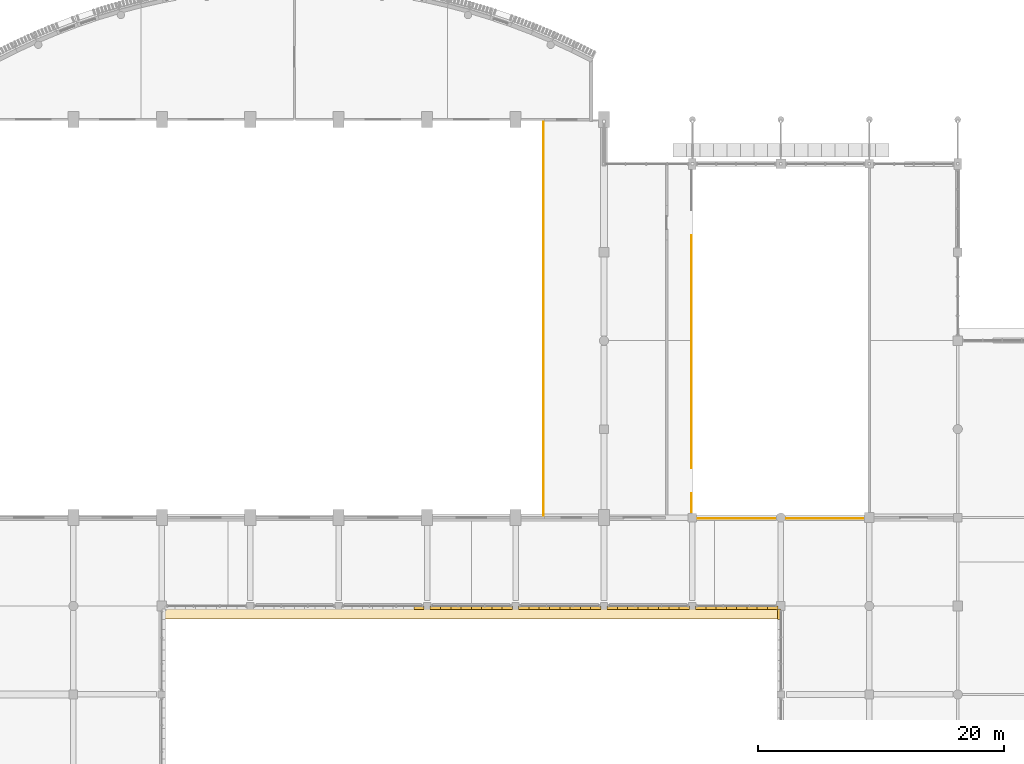
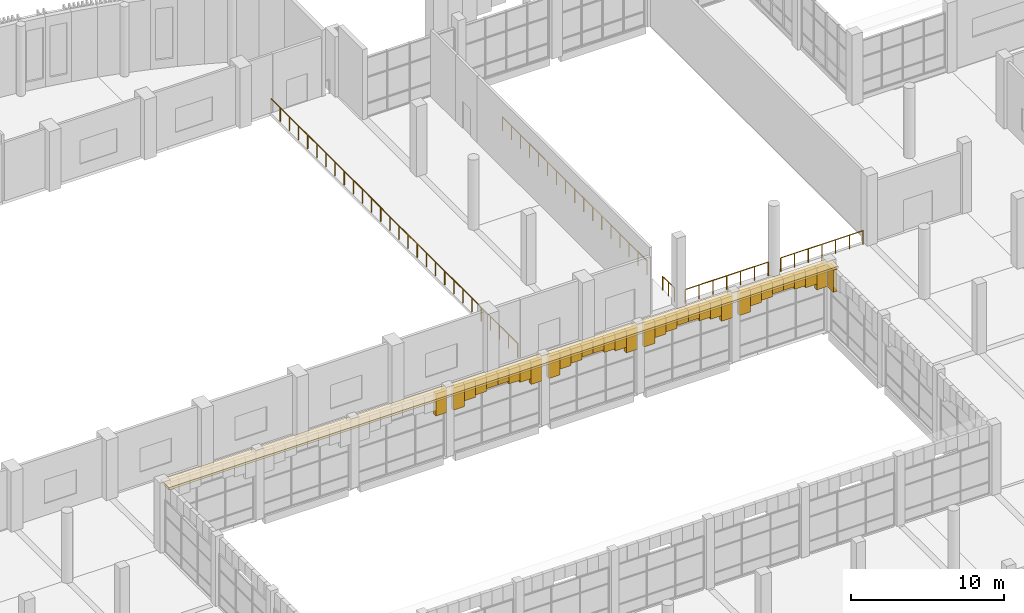
# One storey, part 74 of 80: 35 coverings, 8 railings.
"""IFC4 building model written with IfcOpenShell, lengths in metres."""

from ifc_helpers import new_model, si_unit, direction, frame, frame_2d, origin, origin_2d, place, context, subcontext, project, spatial, polyline, rectangle, circle, outline, extrude, material, layer, layer_set, type_object, element, save


model = new_model("IFC4")

# Units and contexts
model_context = context("Model", 3, precision=1e-05, world=origin(), true_north=direction((0.0, 1.0)))
body_context = subcontext(model_context, "Body", "Model", "MODEL_VIEW")
ifc_project = project(units=[si_unit("LENGTHUNIT", "METRE"), si_unit("AREAUNIT", "SQUARE_METRE"), si_unit("VOLUMEUNIT", "CUBIC_METRE"), si_unit("PLANEANGLEUNIT", "RADIAN"), si_unit("MASSUNIT", "GRAM", prefix="KILO")], contexts=[model_context])

# Site, building, storey
site_placement = place(None, origin())
site = spatial("IfcSite", under=ifc_project, at=site_placement, CompositionType="ELEMENT")
building_placement = place(site_placement, origin())
building = spatial("IfcBuilding", under=site, at=building_placement, Name="Sardonyx Promenade Sports Hall", CompositionType="ELEMENT")
storey_placement = place(building_placement, frame((0.0, 0.0, 5.60009765625)))
storey = spatial("IfcBuildingStorey", under=building, at=storey_placement, Name="L01", CompositionType="ELEMENT", Elevation=5.60009765625)

# Coverings
ifc_material_1 = material(Name="Dressed Cape red sandstone cornice", Category="masonry")
ifc_layer_1 = layer(ifc_material_1, 0.139892578125)
ifc_layer_set_1 = layer_set([ifc_layer_1], Name="Cov_Chhajja_Eave")
covering_type_1 = type_object("IfcCoveringType", Name="Cov_Chhajja_Eave", PredefinedType="MOLDING", material=ifc_layer_set_1)
covering_1_placement = place(storey_placement, frame((0.0, 0.0, 5.349853515625)))
element("IfcCovering", 1, at=covering_1_placement, inside=storey, type_object=covering_type_1, Name="Charbagh courtyard north chhajja eave L01", PredefinedType="MOLDING", context=body_context, shape_type="SweptSolid", body=[
    extrude(outline(polyline([(43.10009765625, 63.75), (93.699951171875, 63.75), (93.699951171875, 64.85009765625), (43.10009765625, 64.85009765625), (43.10009765625, 63.75)])), origin(), (0.0, 0.0, 1.0), 0.179931640625),
])
ifc_material_2 = material(Name="Carved Cape red sandstone ashlar", Category="masonry")
ifc_layer_2 = layer(ifc_material_2, 0.239990234375)
ifc_layer_set_2 = layer_set([ifc_layer_2], Name="Cov_Mughal_Arch")
covering_type_2 = type_object("IfcCoveringType", Name="Cov_Mughal_Arch", PredefinedType="CLADDING", material=ifc_layer_set_2)
covering_2_placement = place(storey_placement, frame((63.71240234375, 64.64990234375, 3.584716796875), z_axis=(0.0, 0.0, 1.0), x_axis=(1.0, 0.0, 0.0)))
element("IfcCovering", 2, at=covering_2_placement, inside=storey, type_object=covering_type_2, Name="Mughal pointed-arch spandrel L01 cov:rq:N:L01:2 #8", PredefinedType="CLADDING", context=body_context, shape_type="SweptSolid", body=[
    extrude(rectangle(XDim=0.837646484375, YDim=0.280029296875, at=frame_2d((0.4189453125, 0.0))), origin(), (0.0, 0.0, 1.0), 1.76513671875),
])
covering_3_placement = place(storey_placement, frame((65.050048828125, 64.64990234375, 3.584716796875), z_axis=(0.0, 0.0, 1.0), x_axis=(1.0, 0.0, 0.0)))
element("IfcCovering", 3, at=covering_3_placement, inside=storey, type_object=covering_type_2, Name="Mughal pointed-arch spandrel L01 cov:rq:N:L01:3 #1", PredefinedType="CLADDING", context=body_context, shape_type="SweptSolid", body=[
    extrude(rectangle(XDim=0.83740234375, YDim=0.280029296875, at=frame_2d((0.418701171875, 0.0))), origin(), (0.0, 0.0, 1.0), 1.76513671875),
])
covering_4_placement = place(storey_placement, frame((65.887451171875, 64.64990234375, 4.041748046875), z_axis=(0.0, 0.0, 1.0), x_axis=(1.0, 0.0, 0.0)))
element("IfcCovering", 4, at=covering_4_placement, inside=storey, type_object=covering_type_2, Name="Mughal pointed-arch spandrel L01 cov:rq:N:L01:3 #2", PredefinedType="CLADDING", context=body_context, shape_type="SweptSolid", body=[
    extrude(rectangle(XDim=0.837646484375, YDim=0.280029296875, at=frame_2d((0.4189453125, 0.0))), origin(), (0.0, 0.0, 1.0), 1.30810546875),
])
covering_5_placement = place(storey_placement, frame((66.72509765625, 64.64990234375, 4.2119140625), z_axis=(0.0, 0.0, 1.0), x_axis=(1.0, 0.0, 0.0)))
element("IfcCovering", 5, at=covering_5_placement, inside=storey, type_object=covering_type_2, Name="Mughal pointed-arch spandrel L01 cov:rq:N:L01:3 #3", PredefinedType="CLADDING", context=body_context, shape_type="SweptSolid", body=[
    extrude(rectangle(XDim=0.83740234375, YDim=0.280029296875, at=frame_2d((0.418701171875, 0.0))), origin(), (0.0, 0.0, 1.0), 1.137939453125),
])
covering_6_placement = place(storey_placement, frame((67.5625, 64.64990234375, 4.429931640625), z_axis=(0.0, 0.0, 1.0), x_axis=(1.0, 0.0, 0.0)))
element("IfcCovering", 6, at=covering_6_placement, inside=storey, type_object=covering_type_2, Name="Mughal pointed-arch spandrel L01 cov:rq:N:L01:3 #4", PredefinedType="CLADDING", context=body_context, shape_type="SweptSolid", body=[
    extrude(rectangle(XDim=0.83740234375, YDim=0.280029296875, at=frame_2d((0.418701171875, 0.0))), origin(), (0.0, 0.0, 1.0), 0.919921875),
])
covering_7_placement = place(storey_placement, frame((68.39990234375, 64.64990234375, 4.429931640625), z_axis=(0.0, 0.0, 1.0), x_axis=(1.0, 0.0, 0.0)))
element("IfcCovering", 7, at=covering_7_placement, inside=storey, type_object=covering_type_2, Name="Mughal pointed-arch spandrel L01 cov:rq:N:L01:3 #5", PredefinedType="CLADDING", context=body_context, shape_type="SweptSolid", body=[
    extrude(rectangle(XDim=0.837646484375, YDim=0.280029296875, at=frame_2d((0.4189453125, 0.0))), origin(), (0.0, 0.0, 1.0), 0.919921875),
])
covering_8_placement = place(storey_placement, frame((69.237548828125, 64.64990234375, 4.2119140625), z_axis=(0.0, 0.0, 1.0), x_axis=(1.0, 0.0, 0.0)))
element("IfcCovering", 8, at=covering_8_placement, inside=storey, type_object=covering_type_2, Name="Mughal pointed-arch spandrel L01 cov:rq:N:L01:3 #6", PredefinedType="CLADDING", context=body_context, shape_type="SweptSolid", body=[
    extrude(rectangle(XDim=0.83740234375, YDim=0.280029296875, at=frame_2d((0.418701171875, 0.0))), origin(), (0.0, 0.0, 1.0), 1.137939453125),
])
covering_9_placement = place(storey_placement, frame((70.074951171875, 64.64990234375, 4.041748046875), z_axis=(0.0, 0.0, 1.0), x_axis=(1.0, 0.0, 0.0)))
element("IfcCovering", 9, at=covering_9_placement, inside=storey, type_object=covering_type_2, Name="Mughal pointed-arch spandrel L01 cov:rq:N:L01:3 #7", PredefinedType="CLADDING", context=body_context, shape_type="SweptSolid", body=[
    extrude(rectangle(XDim=0.837646484375, YDim=0.280029296875, at=frame_2d((0.4189453125, 0.0))), origin(), (0.0, 0.0, 1.0), 1.30810546875),
])
for number, where, z_axis, x_axis, name in (
    (10, (70.91259765625, 64.64990234375, 3.584716796875), (0.0, 0.0, 1.0), (1.0, 0.0, 0.0), "Mughal pointed-arch spandrel L01 cov:rq:N:L01:3 #8"),
    (11, (72.25, 64.64990234375, 3.584716796875), (0.0, 0.0, 1.0), (1.0, 0.0, 0.0), "Mughal pointed-arch spandrel L01 cov:rq:N:L01:4 #1"),
):
    element("IfcCovering", number, at=place(storey_placement, frame(where, z_axis=z_axis, x_axis=x_axis)), inside=storey, type_object=covering_type_2, Name=name, PredefinedType="CLADDING", context=body_context, shape_type="SweptSolid", body=[
        extrude(rectangle(XDim=0.83740234375, YDim=0.280029296875, at=frame_2d((0.418701171875, 0.0))), origin(), (0.0, 0.0, 1.0), 1.76513671875),
    ])
covering_10_placement = place(storey_placement, frame((73.08740234375, 64.64990234375, 4.041748046875), z_axis=(0.0, 0.0, 1.0), x_axis=(1.0, 0.0, 0.0)))
element("IfcCovering", 12, at=covering_10_placement, inside=storey, type_object=covering_type_2, Name="Mughal pointed-arch spandrel L01 cov:rq:N:L01:4 #2", PredefinedType="CLADDING", context=body_context, shape_type="SweptSolid", body=[
    extrude(rectangle(XDim=0.837646484375, YDim=0.280029296875, at=frame_2d((0.4189453125, 0.0))), origin(), (0.0, 0.0, 1.0), 1.30810546875),
])
covering_11_placement = place(storey_placement, frame((73.925048828125, 64.64990234375, 4.2119140625), z_axis=(0.0, 0.0, 1.0), x_axis=(1.0, 0.0, 0.0)))
element("IfcCovering", 13, at=covering_11_placement, inside=storey, type_object=covering_type_2, Name="Mughal pointed-arch spandrel L01 cov:rq:N:L01:4 #3", PredefinedType="CLADDING", context=body_context, shape_type="SweptSolid", body=[
    extrude(rectangle(XDim=0.83740234375, YDim=0.280029296875, at=frame_2d((0.418701171875, 0.0))), origin(), (0.0, 0.0, 1.0), 1.137939453125),
])
covering_12_placement = place(storey_placement, frame((74.762451171875, 64.64990234375, 4.429931640625), z_axis=(0.0, 0.0, 1.0), x_axis=(1.0, 0.0, 0.0)))
element("IfcCovering", 14, at=covering_12_placement, inside=storey, type_object=covering_type_2, Name="Mughal pointed-arch spandrel L01 cov:rq:N:L01:4 #4", PredefinedType="CLADDING", context=body_context, shape_type="SweptSolid", body=[
    extrude(rectangle(XDim=0.837646484375, YDim=0.280029296875, at=frame_2d((0.4189453125, 0.0))), origin(), (0.0, 0.0, 1.0), 0.919921875),
])
covering_13_placement = place(storey_placement, frame((75.60009765625, 64.64990234375, 4.429931640625), z_axis=(0.0, 0.0, 1.0), x_axis=(1.0, 0.0, 0.0)))
element("IfcCovering", 15, at=covering_13_placement, inside=storey, type_object=covering_type_2, Name="Mughal pointed-arch spandrel L01 cov:rq:N:L01:4 #5", PredefinedType="CLADDING", context=body_context, shape_type="SweptSolid", body=[
    extrude(rectangle(XDim=0.83740234375, YDim=0.280029296875, at=frame_2d((0.418701171875, 0.0))), origin(), (0.0, 0.0, 1.0), 0.919921875),
])
covering_14_placement = place(storey_placement, frame((76.4375, 64.64990234375, 4.2119140625), z_axis=(0.0, 0.0, 1.0), x_axis=(1.0, 0.0, 0.0)))
element("IfcCovering", 16, at=covering_14_placement, inside=storey, type_object=covering_type_2, Name="Mughal pointed-arch spandrel L01 cov:rq:N:L01:4 #6", PredefinedType="CLADDING", context=body_context, shape_type="SweptSolid", body=[
    extrude(rectangle(XDim=0.83740234375, YDim=0.280029296875, at=frame_2d((0.418701171875, 0.0))), origin(), (0.0, 0.0, 1.0), 1.137939453125),
])
covering_15_placement = place(storey_placement, frame((77.27490234375, 64.64990234375, 4.041748046875), z_axis=(0.0, 0.0, 1.0), x_axis=(1.0, 0.0, 0.0)))
element("IfcCovering", 17, at=covering_15_placement, inside=storey, type_object=covering_type_2, Name="Mughal pointed-arch spandrel L01 cov:rq:N:L01:4 #7", PredefinedType="CLADDING", context=body_context, shape_type="SweptSolid", body=[
    extrude(rectangle(XDim=0.837646484375, YDim=0.280029296875, at=frame_2d((0.4189453125, 0.0))), origin(), (0.0, 0.0, 1.0), 1.30810546875),
])
covering_16_placement = place(storey_placement, frame((78.112548828125, 64.64990234375, 3.584716796875), z_axis=(0.0, 0.0, 1.0), x_axis=(1.0, 0.0, 0.0)))
element("IfcCovering", 18, at=covering_16_placement, inside=storey, type_object=covering_type_2, Name="Mughal pointed-arch spandrel L01 cov:rq:N:L01:4 #8", PredefinedType="CLADDING", context=body_context, shape_type="SweptSolid", body=[
    extrude(rectangle(XDim=0.83740234375, YDim=0.280029296875, at=frame_2d((0.418701171875, 0.0))), origin(), (0.0, 0.0, 1.0), 1.76513671875),
])
covering_17_placement = place(storey_placement, frame((79.449951171875, 64.64990234375, 3.584716796875), z_axis=(0.0, 0.0, 1.0), x_axis=(1.0, 0.0, 0.0)))
element("IfcCovering", 19, at=covering_17_placement, inside=storey, type_object=covering_type_2, Name="Mughal pointed-arch spandrel L01 cov:rq:N:L01:5 #1", PredefinedType="CLADDING", context=body_context, shape_type="SweptSolid", body=[
    extrude(rectangle(XDim=0.837646484375, YDim=0.280029296875, at=frame_2d((0.4189453125, 0.0))), origin(), (0.0, 0.0, 1.0), 1.76513671875),
])
covering_18_placement = place(storey_placement, frame((80.28759765625, 64.64990234375, 4.041748046875), z_axis=(0.0, 0.0, 1.0), x_axis=(1.0, 0.0, 0.0)))
element("IfcCovering", 20, at=covering_18_placement, inside=storey, type_object=covering_type_2, Name="Mughal pointed-arch spandrel L01 cov:rq:N:L01:5 #2", PredefinedType="CLADDING", context=body_context, shape_type="SweptSolid", body=[
    extrude(rectangle(XDim=0.83740234375, YDim=0.280029296875, at=frame_2d((0.418701171875, 0.0))), origin(), (0.0, 0.0, 1.0), 1.30810546875),
])
covering_19_placement = place(storey_placement, frame((81.125, 64.64990234375, 4.2119140625), z_axis=(0.0, 0.0, 1.0), x_axis=(1.0, 0.0, 0.0)))
element("IfcCovering", 21, at=covering_19_placement, inside=storey, type_object=covering_type_2, Name="Mughal pointed-arch spandrel L01 cov:rq:N:L01:5 #3", PredefinedType="CLADDING", context=body_context, shape_type="SweptSolid", body=[
    extrude(rectangle(XDim=0.83740234375, YDim=0.280029296875, at=frame_2d((0.418701171875, 0.0))), origin(), (0.0, 0.0, 1.0), 1.137939453125),
])
covering_20_placement = place(storey_placement, frame((81.96240234375, 64.64990234375, 4.429931640625), z_axis=(0.0, 0.0, 1.0), x_axis=(1.0, 0.0, 0.0)))
element("IfcCovering", 22, at=covering_20_placement, inside=storey, type_object=covering_type_2, Name="Mughal pointed-arch spandrel L01 cov:rq:N:L01:5 #4", PredefinedType="CLADDING", context=body_context, shape_type="SweptSolid", body=[
    extrude(rectangle(XDim=0.837646484375, YDim=0.280029296875, at=frame_2d((0.4189453125, 0.0))), origin(), (0.0, 0.0, 1.0), 0.919921875),
])
covering_21_placement = place(storey_placement, frame((82.800048828125, 64.64990234375, 4.429931640625), z_axis=(0.0, 0.0, 1.0), x_axis=(1.0, 0.0, 0.0)))
element("IfcCovering", 23, at=covering_21_placement, inside=storey, type_object=covering_type_2, Name="Mughal pointed-arch spandrel L01 cov:rq:N:L01:5 #5", PredefinedType="CLADDING", context=body_context, shape_type="SweptSolid", body=[
    extrude(rectangle(XDim=0.83740234375, YDim=0.280029296875, at=frame_2d((0.418701171875, 0.0))), origin(), (0.0, 0.0, 1.0), 0.919921875),
])
covering_22_placement = place(storey_placement, frame((83.637451171875, 64.64990234375, 4.2119140625), z_axis=(0.0, 0.0, 1.0), x_axis=(1.0, 0.0, 0.0)))
element("IfcCovering", 24, at=covering_22_placement, inside=storey, type_object=covering_type_2, Name="Mughal pointed-arch spandrel L01 cov:rq:N:L01:5 #6", PredefinedType="CLADDING", context=body_context, shape_type="SweptSolid", body=[
    extrude(rectangle(XDim=0.837646484375, YDim=0.280029296875, at=frame_2d((0.4189453125, 0.0))), origin(), (0.0, 0.0, 1.0), 1.137939453125),
])
covering_23_placement = place(storey_placement, frame((84.47509765625, 64.64990234375, 4.041748046875), z_axis=(0.0, 0.0, 1.0), x_axis=(1.0, 0.0, 0.0)))
element("IfcCovering", 25, at=covering_23_placement, inside=storey, type_object=covering_type_2, Name="Mughal pointed-arch spandrel L01 cov:rq:N:L01:5 #7", PredefinedType="CLADDING", context=body_context, shape_type="SweptSolid", body=[
    extrude(rectangle(XDim=0.83740234375, YDim=0.280029296875, at=frame_2d((0.418701171875, 0.0))), origin(), (0.0, 0.0, 1.0), 1.30810546875),
])
covering_24_placement = place(storey_placement, frame((85.3125, 64.64990234375, 3.584716796875), z_axis=(0.0, 0.0, 1.0), x_axis=(1.0, 0.0, 0.0)))
element("IfcCovering", 26, at=covering_24_placement, inside=storey, type_object=covering_type_2, Name="Mughal pointed-arch spandrel L01 cov:rq:N:L01:5 #8", PredefinedType="CLADDING", context=body_context, shape_type="SweptSolid", body=[
    extrude(rectangle(XDim=0.83740234375, YDim=0.280029296875, at=frame_2d((0.418701171875, 0.0))), origin(), (0.0, 0.0, 1.0), 1.76513671875),
])
covering_25_placement = place(storey_placement, frame((86.64990234375, 64.64990234375, 3.584716796875), z_axis=(0.0, 0.0, 1.0), x_axis=(1.0, 0.0, 0.0)))
element("IfcCovering", 27, at=covering_25_placement, inside=storey, type_object=covering_type_2, Name="Mughal pointed-arch spandrel L01 cov:rq:N:L01:6 #1", PredefinedType="CLADDING", context=body_context, shape_type="SweptSolid", body=[
    extrude(rectangle(XDim=0.837646484375, YDim=0.280029296875, at=frame_2d((0.4189453125, 0.0))), origin(), (0.0, 0.0, 1.0), 1.76513671875),
])
covering_26_placement = place(storey_placement, frame((87.487548828125, 64.64990234375, 4.041748046875), z_axis=(0.0, 0.0, 1.0), x_axis=(1.0, 0.0, 0.0)))
element("IfcCovering", 28, at=covering_26_placement, inside=storey, type_object=covering_type_2, Name="Mughal pointed-arch spandrel L01 cov:rq:N:L01:6 #2", PredefinedType="CLADDING", context=body_context, shape_type="SweptSolid", body=[
    extrude(rectangle(XDim=0.83740234375, YDim=0.280029296875, at=frame_2d((0.418701171875, 0.0))), origin(), (0.0, 0.0, 1.0), 1.30810546875),
])
covering_27_placement = place(storey_placement, frame((88.324951171875, 64.64990234375, 4.2119140625), z_axis=(0.0, 0.0, 1.0), x_axis=(1.0, 0.0, 0.0)))
element("IfcCovering", 29, at=covering_27_placement, inside=storey, type_object=covering_type_2, Name="Mughal pointed-arch spandrel L01 cov:rq:N:L01:6 #3", PredefinedType="CLADDING", context=body_context, shape_type="SweptSolid", body=[
    extrude(rectangle(XDim=0.837646484375, YDim=0.280029296875, at=frame_2d((0.4189453125, 0.0))), origin(), (0.0, 0.0, 1.0), 1.137939453125),
])
for number, where, z_axis, x_axis, name in (
    (30, (89.16259765625, 64.64990234375, 4.429931640625), (0.0, 0.0, 1.0), (1.0, 0.0, 0.0), "Mughal pointed-arch spandrel L01 cov:rq:N:L01:6 #4"),
    (31, (90.0, 64.64990234375, 4.429931640625), (0.0, 0.0, 1.0), (1.0, 0.0, 0.0), "Mughal pointed-arch spandrel L01 cov:rq:N:L01:6 #5"),
):
    element("IfcCovering", number, at=place(storey_placement, frame(where, z_axis=z_axis, x_axis=x_axis)), inside=storey, type_object=covering_type_2, Name=name, PredefinedType="CLADDING", context=body_context, shape_type="SweptSolid", body=[
        extrude(rectangle(XDim=0.83740234375, YDim=0.280029296875, at=frame_2d((0.418701171875, 0.0))), origin(), (0.0, 0.0, 1.0), 0.919921875),
    ])
covering_28_placement = place(storey_placement, frame((90.83740234375, 64.64990234375, 4.2119140625), z_axis=(0.0, 0.0, 1.0), x_axis=(1.0, 0.0, 0.0)))
element("IfcCovering", 32, at=covering_28_placement, inside=storey, type_object=covering_type_2, Name="Mughal pointed-arch spandrel L01 cov:rq:N:L01:6 #6", PredefinedType="CLADDING", context=body_context, shape_type="SweptSolid", body=[
    extrude(rectangle(XDim=0.837646484375, YDim=0.280029296875, at=frame_2d((0.4189453125, 0.0))), origin(), (0.0, 0.0, 1.0), 1.137939453125),
])
covering_29_placement = place(storey_placement, frame((91.675048828125, 64.64990234375, 4.041748046875), z_axis=(0.0, 0.0, 1.0), x_axis=(1.0, 0.0, 0.0)))
element("IfcCovering", 33, at=covering_29_placement, inside=storey, type_object=covering_type_2, Name="Mughal pointed-arch spandrel L01 cov:rq:N:L01:6 #7", PredefinedType="CLADDING", context=body_context, shape_type="SweptSolid", body=[
    extrude(rectangle(XDim=0.83740234375, YDim=0.280029296875, at=frame_2d((0.418701171875, 0.0))), origin(), (0.0, 0.0, 1.0), 1.30810546875),
])
for number, where, z_axis, x_axis, name in (
    (34, (92.512451171875, 64.64990234375, 3.584716796875), (0.0, 0.0, 1.0), (1.0, 0.0, 0.0), "Mughal pointed-arch spandrel L01 cov:rq:N:L01:6 #8"),
    (35, (93.449951171875, 63.71240234375, 3.584716796875), (0.0, 0.0, 1.0), (0.0, 1.0, 0.0), "Mughal pointed-arch spandrel L01 cov:rq:E:L01:2 #8"),
):
    element("IfcCovering", number, at=place(storey_placement, frame(where, z_axis=z_axis, x_axis=x_axis)), inside=storey, type_object=covering_type_2, Name=name, PredefinedType="CLADDING", context=body_context, shape_type="SweptSolid", body=[
        extrude(rectangle(XDim=0.837646484375, YDim=0.280029296875, at=frame_2d((0.4189453125, 0.0))), origin(), (0.0, 0.0, 1.0), 1.76513671875),
    ])

# Railings
ifc_material_3 = material(Name="Powder-coated Steel S355JR", Category="steel")
railing_type = type_object("IfcRailingType", Name="Rail_Int_Guard_1100", PredefinedType="GUARDRAIL", material=ifc_material_3)
railing_1_placement = place(storey_placement, frame((100.300048828125, 71.929931640625, 0.0)))
element("IfcRailing", 36, at=railing_1_placement, inside=storey, type_object=railing_type, Name="Deck-edge guardrail GR02 L01 #11", PredefinedType="GUARDRAIL", context=body_context, shape_type="SweptSolid", body=[
    extrude(circle(Radius=0.02392578125, at=origin_2d()), frame((0.0, 0.0, 1.09619140625), z_axis=(-1.0, 0.0, 0.0), x_axis=(0.0, -1.0, 0.0)), (0.0, 0.0, 1.0), 6.22509765625),
    extrude(circle(Radius=0.02099609375, at=origin_2d()), origin(), (0.0, 0.0, 1.0), 1.072021484375),
    extrude(circle(Radius=0.02099609375, at=origin_2d()), frame((-1.03759765625, 0.0, 0.0)), (0.0, 0.0, 1.0), 1.072021484375),
    extrude(circle(Radius=0.02099609375, at=origin_2d()), frame((-2.074951171875, 0.0, 0.0)), (0.0, 0.0, 1.0), 1.072021484375),
    extrude(circle(Radius=0.02099609375, at=origin_2d()), frame((-3.112548828125, 0.0, 0.0)), (0.0, 0.0, 1.0), 1.072021484375),
    extrude(circle(Radius=0.02099609375, at=origin_2d()), frame((-4.150146484375, 0.0, 0.0)), (0.0, 0.0, 1.0), 1.072021484375),
    extrude(circle(Radius=0.02099609375, at=origin_2d()), frame((-5.1875, 0.0, 0.0)), (0.0, 0.0, 1.0), 1.072021484375),
    extrude(circle(Radius=0.02099609375, at=origin_2d()), frame((-6.22509765625, 0.0, 0.0)), (0.0, 0.0, 1.0), 1.072021484375),
])
railing_2_placement = place(storey_placement, frame((93.125, 71.929931640625, 0.0)))
element("IfcRailing", 37, at=railing_2_placement, inside=storey, type_object=railing_type, Name="Deck-edge guardrail GR02 L01 #12", PredefinedType="GUARDRAIL", context=body_context, shape_type="SweptSolid", body=[
    extrude(circle(Radius=0.02392578125, at=origin_2d()), frame((0.0, 0.0, 1.09619140625), z_axis=(-1.0, 0.0, 0.0), x_axis=(0.0, -1.0, 0.0)), (0.0, 0.0, 1.0), 6.27490234375),
    extrude(circle(Radius=0.02099609375, at=origin_2d()), origin(), (0.0, 0.0, 1.0), 1.072021484375),
    extrude(circle(Radius=0.02099609375, at=origin_2d()), frame((-1.0458984375, 0.0, 0.0)), (0.0, 0.0, 1.0), 1.072021484375),
    extrude(circle(Radius=0.02099609375, at=origin_2d()), frame((-2.091552734375, 0.0, 0.0)), (0.0, 0.0, 1.0), 1.072021484375),
    extrude(circle(Radius=0.02099609375, at=origin_2d()), frame((-3.137451171875, 0.0, 0.0)), (0.0, 0.0, 1.0), 1.072021484375),
    extrude(circle(Radius=0.02099609375, at=origin_2d()), frame((-4.183349609375, 0.0, 0.0)), (0.0, 0.0, 1.0), 1.072021484375),
    extrude(circle(Radius=0.02099609375, at=origin_2d()), frame((-5.22900390625, 0.0, 0.0)), (0.0, 0.0, 1.0), 1.072021484375),
    extrude(circle(Radius=0.02099609375, at=origin_2d()), frame((-6.27490234375, 0.0, 0.0)), (0.0, 0.0, 1.0), 1.072021484375),
])
railing_3_placement = place(storey_placement, frame((86.330078125, 72.449951171875, 0.0)))
element("IfcRailing", 38, at=railing_3_placement, inside=storey, type_object=railing_type, Name="Deck-edge guardrail GR02 L01 #13", PredefinedType="GUARDRAIL", context=body_context, shape_type="SweptSolid", body=[
    extrude(circle(Radius=0.02392578125, at=origin_2d()), frame((0.0, 0.0, 1.09619140625), z_axis=(0.0, 1.0, 0.0), x_axis=(-1.0, 0.0, 0.0)), (0.0, 0.0, 1.0), 1.52001953125),
    extrude(circle(Radius=0.02099609375, at=origin_2d()), origin(), (0.0, 0.0, 1.0), 1.072021484375),
    extrude(circle(Radius=0.02099609375, at=origin_2d()), frame((0.0, 0.760009765625, 0.0)), (0.0, 0.0, 1.0), 1.072021484375),
    extrude(circle(Radius=0.02099609375, at=origin_2d()), frame((0.0, 1.52001953125, 0.0)), (0.0, 0.0, 1.0), 1.072021484375),
])
for number, where, name in (
    (39, (86.330078125, 76.030029296875, 0.0), "Deck-edge guardrail GR02 L01 #14"),
    (40, (86.330078125, 85.5, 0.0), "Deck-edge guardrail GR02 L01 #15"),
):
    element("IfcRailing", number, at=place(storey_placement, frame(where)), inside=storey, type_object=railing_type, Name=name, PredefinedType="GUARDRAIL", context=body_context, shape_type="SweptSolid", body=[
        extrude(circle(Radius=0.02392578125, at=origin_2d()), frame((0.0, 0.0, 1.09619140625), z_axis=(0.0, 1.0, 0.0), x_axis=(-1.0, 0.0, 0.0)), (0.0, 0.0, 1.0), 9.469970703125),
        extrude(circle(Radius=0.02099609375, at=origin_2d()), origin(), (0.0, 0.0, 1.0), 1.072021484375),
        extrude(circle(Radius=0.02099609375, at=origin_2d()), frame((0.0, 1.183837890625, 0.0)), (0.0, 0.0, 1.0), 1.072021484375),
        extrude(circle(Radius=0.02099609375, at=origin_2d()), frame((0.0, 2.367431640625, 0.0)), (0.0, 0.0, 1.0), 1.072021484375),
        extrude(circle(Radius=0.02099609375, at=origin_2d()), frame((0.0, 3.55126953125, 0.0)), (0.0, 0.0, 1.0), 1.072021484375),
        extrude(circle(Radius=0.02099609375, at=origin_2d()), frame((0.0, 4.73486328125, 0.0)), (0.0, 0.0, 1.0), 1.072021484375),
        extrude(circle(Radius=0.02099609375, at=origin_2d()), frame((0.0, 5.918701171875, 0.0)), (0.0, 0.0, 1.0), 1.072021484375),
        extrude(circle(Radius=0.02099609375, at=origin_2d()), frame((0.0, 7.1025390625, 0.0)), (0.0, 0.0, 1.0), 1.072021484375),
        extrude(circle(Radius=0.02099609375, at=origin_2d()), frame((0.0, 8.2861328125, 0.0)), (0.0, 0.0, 1.0), 1.072021484375),
        extrude(circle(Radius=0.02099609375, at=origin_2d()), frame((0.0, 9.469970703125, 0.0)), (0.0, 0.0, 1.0), 1.072021484375),
    ])
railing_4_placement = place(storey_placement, frame((74.27001953125, 104.35498046875, 0.0)))
element("IfcRailing", 41, at=railing_4_placement, inside=storey, type_object=railing_type, Name="Deck-edge guardrail GR02 L01 #18", PredefinedType="GUARDRAIL", context=body_context, shape_type="SweptSolid", body=[
    extrude(circle(Radius=0.02392578125, at=origin_2d()), frame((0.0, 0.0, 1.09619140625), z_axis=(0.0, -1.0, 0.0), x_axis=(1.0, 0.0, 0.0)), (0.0, 0.0, 1.0), 10.76318359375),
    extrude(circle(Radius=0.02099609375, at=origin_2d()), origin(), (0.0, 0.0, 1.0), 1.072021484375),
    extrude(circle(Radius=0.02099609375, at=origin_2d()), frame((0.0, -1.19580078125, 0.0)), (0.0, 0.0, 1.0), 1.072021484375),
    extrude(circle(Radius=0.02099609375, at=origin_2d()), frame((0.0, -2.391845703125, 0.0)), (0.0, 0.0, 1.0), 1.072021484375),
    extrude(circle(Radius=0.02099609375, at=origin_2d()), frame((0.0, -3.587646484375, 0.0)), (0.0, 0.0, 1.0), 1.072021484375),
    extrude(circle(Radius=0.02099609375, at=origin_2d()), frame((0.0, -4.78369140625, 0.0)), (0.0, 0.0, 1.0), 1.072021484375),
    extrude(circle(Radius=0.02099609375, at=origin_2d()), frame((0.0, -5.9794921875, 0.0)), (0.0, 0.0, 1.0), 1.072021484375),
    extrude(circle(Radius=0.02099609375, at=origin_2d()), frame((0.0, -7.175537109375, 0.0)), (0.0, 0.0, 1.0), 1.072021484375),
    extrude(circle(Radius=0.02099609375, at=origin_2d()), frame((0.0, -8.371337890625, 0.0)), (0.0, 0.0, 1.0), 1.072021484375),
    extrude(circle(Radius=0.02099609375, at=origin_2d()), frame((0.0, -9.5673828125, 0.0)), (0.0, 0.0, 1.0), 1.072021484375),
    extrude(circle(Radius=0.02099609375, at=origin_2d()), frame((0.0, -10.76318359375, 0.0)), (0.0, 0.0, 1.0), 1.072021484375),
])
for number, where, name in (
    (42, (74.27001953125, 93.591796875, 0.0), "Deck-edge guardrail GR02 L01 #19"),
    (43, (74.27001953125, 82.828369140625, 0.0), "Deck-edge guardrail GR02 L01 #20"),
):
    element("IfcRailing", number, at=place(storey_placement, frame(where)), inside=storey, type_object=railing_type, Name=name, PredefinedType="GUARDRAIL", context=body_context, shape_type="SweptSolid", body=[
        extrude(circle(Radius=0.02392578125, at=origin_2d()), frame((0.0, 0.0, 1.09619140625), z_axis=(0.0, -1.0, 0.0), x_axis=(1.0, 0.0, 0.0)), (0.0, 0.0, 1.0), 10.763427734375),
        extrude(circle(Radius=0.02099609375, at=origin_2d()), origin(), (0.0, 0.0, 1.0), 1.072021484375),
        extrude(circle(Radius=0.02099609375, at=origin_2d()), frame((0.0, -1.196044921875, 0.0)), (0.0, 0.0, 1.0), 1.072021484375),
        extrude(circle(Radius=0.02099609375, at=origin_2d()), frame((0.0, -2.391845703125, 0.0)), (0.0, 0.0, 1.0), 1.072021484375),
        extrude(circle(Radius=0.02099609375, at=origin_2d()), frame((0.0, -3.587890625, 0.0)), (0.0, 0.0, 1.0), 1.072021484375),
        extrude(circle(Radius=0.02099609375, at=origin_2d()), frame((0.0, -4.78369140625, 0.0)), (0.0, 0.0, 1.0), 1.072021484375),
        extrude(circle(Radius=0.02099609375, at=origin_2d()), frame((0.0, -5.979736328125, 0.0)), (0.0, 0.0, 1.0), 1.072021484375),
        extrude(circle(Radius=0.02099609375, at=origin_2d()), frame((0.0, -7.175537109375, 0.0)), (0.0, 0.0, 1.0), 1.072021484375),
        extrude(circle(Radius=0.02099609375, at=origin_2d()), frame((0.0, -8.37158203125, 0.0)), (0.0, 0.0, 1.0), 1.072021484375),
        extrude(circle(Radius=0.02099609375, at=origin_2d()), frame((0.0, -9.5673828125, 0.0)), (0.0, 0.0, 1.0), 1.072021484375),
        extrude(circle(Radius=0.02099609375, at=origin_2d()), frame((0.0, -10.763427734375, 0.0)), (0.0, 0.0, 1.0), 1.072021484375),
    ])

save(model, "model.ifc")
